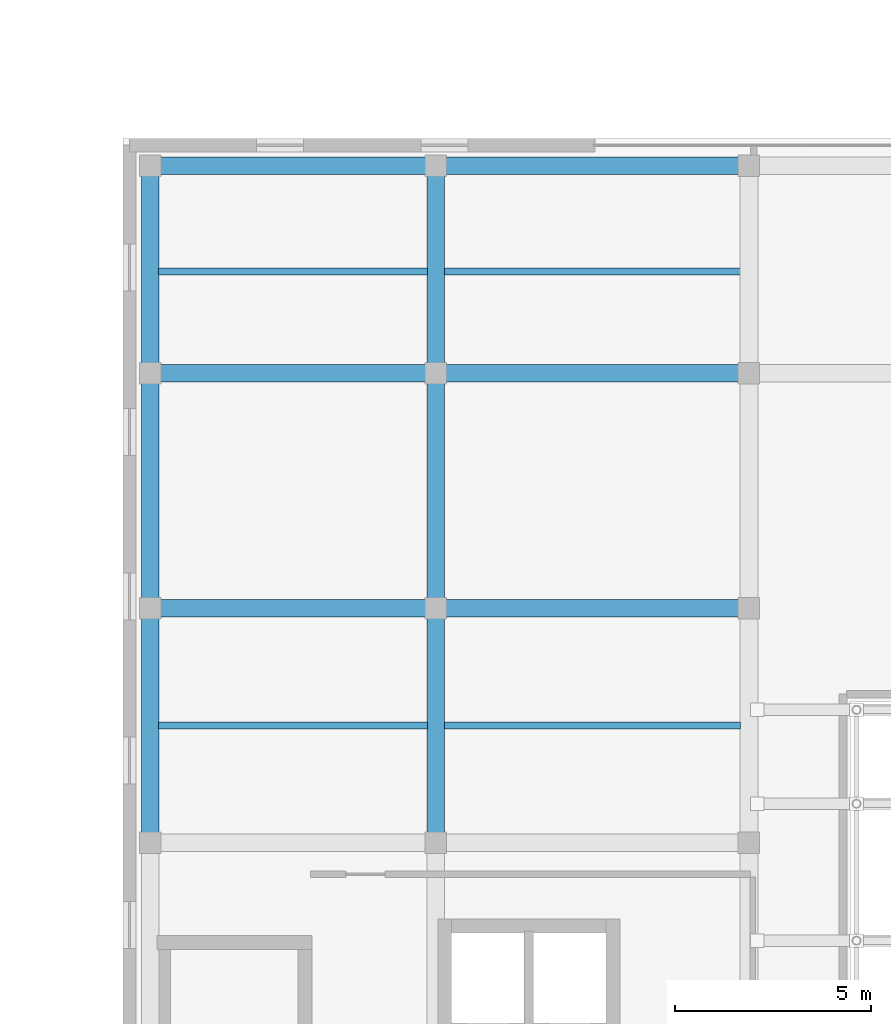
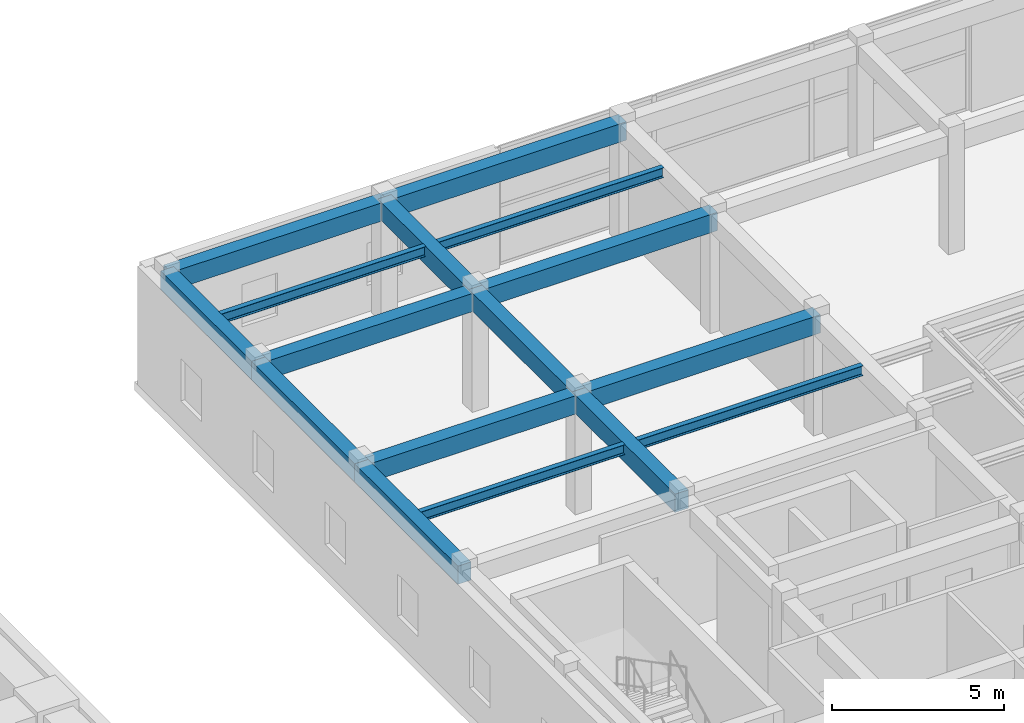
# One storey, part 16 of 33: 16 beams.
"""IFC4 building model written with IfcOpenShell, lengths in metres."""

import ifcopenshell
import ifcopenshell.guid

model = None  # the IFC model being written
_history = None  # IfcOwnerHistory: only IFC2X3 demands one
_inside = {}  # id of a spatial element -> (the spatial element, [elements in it])
_under = {}  # id of a project, library or spatial element -> (it, [spatial elements below it])
_declared = {}  # id of a project -> (the project, [libraries it declares])
_typed = {}  # id of a type object -> (the type object, [elements of that type])
_made_of = {}  # id of a material, layer set ... -> (it, [elements and type objects made of it])


def new_model(schema):
    """Start an empty IFC model of exactly this schema.

    Asked for "IFC4X3", IfcOpenShell would pick the latest addendum, in which some entities
    have other attributes; the version numbers below select the first issue.
    IFC2X3 requires an IfcOwnerHistory on every rooted entity: one is made here for all.
    """
    global model, _history
    if schema == "IFC4X3":
        model = ifcopenshell.file(schema_version=(4, 3, 0, 0))
    else:
        model = ifcopenshell.file(schema=schema)
    _inside.clear()
    _under.clear()
    _declared.clear()
    _typed.clear()
    _made_of.clear()
    _history = None
    if model.schema == "IFC2X3":
        org = make("IfcOrganization", Name="unknown")
        user = make(
            "IfcPersonAndOrganization",
            ThePerson=make("IfcPerson", FamilyName="unknown"),
            TheOrganization=org,
        )
        app = make(
            "IfcApplication",
            ApplicationDeveloper=org,
            Version="unknown",
            ApplicationFullName="unknown",
            ApplicationIdentifier="unknown",
        )
        _history = make(
            "IfcOwnerHistory",
            OwningUser=user,
            OwningApplication=app,
            ChangeAction="ADDED",
            CreationDate=0,
        )
    return model


def make(cls, **values):
    """One entity of the class cls with the attributes given. An attribute that is None is left unset."""
    return model.create_entity(
        cls, **{name: value for name, value in values.items() if value is not None}
    )


def rooted(cls, **values):
    """An entity with a GlobalId (a new one), such as an element, a storey or a relation."""
    return make(cls, GlobalId=ifcopenshell.guid.new(), OwnerHistory=_history, **values)


def si_unit(unit_type, name, prefix=None):
    """IfcSIUnit, for example si_unit("LENGTHUNIT", "METRE", prefix="MILLI")."""
    return make("IfcSIUnit", UnitType=unit_type, Prefix=prefix, Name=name)


def assignment(units):
    """IfcUnitAssignment: the units of a project."""
    return None if units is None else make("IfcUnitAssignment", Units=units)


def point(xyz):
    """IfcCartesianPoint."""
    return None if xyz is None else make("IfcCartesianPoint", Coordinates=xyz)


def direction(xyz):
    """IfcDirection."""
    return None if xyz is None else make("IfcDirection", DirectionRatios=xyz)


def frame(location, z_axis=None, x_axis=None):
    """IfcAxis2Placement3D, a coordinate frame: its origin and axes. An axis left out is left unset."""
    return make(
        "IfcAxis2Placement3D",
        Location=point(location),
        Axis=direction(z_axis),
        RefDirection=direction(x_axis),
    )


def frame_2d(location, x_axis=None):
    """IfcAxis2Placement2D, a coordinate frame in the plane: its origin and x axis."""
    return make(
        "IfcAxis2Placement2D", Location=point(location), RefDirection=direction(x_axis)
    )


def origin():
    """The frame at (0, 0, 0) with its axes left unset."""
    return frame((0.0, 0.0, 0.0))


def origin_2d():
    """The frame at (0, 0) in the plane with its x axis left unset."""
    return frame_2d((0.0, 0.0))


def place(relative_to, where):
    """IfcLocalPlacement: puts the frame where relative to a parent placement (None: the world)."""
    return make(
        "IfcLocalPlacement", PlacementRelTo=relative_to, RelativePlacement=where
    )


def context(
    kind, dimensions, precision=None, world=None, true_north=None, identifier=None
):
    """IfcGeometricRepresentationContext, for example the 3D "Model" context."""
    return make(
        "IfcGeometricRepresentationContext",
        ContextIdentifier=identifier,
        ContextType=kind,
        CoordinateSpaceDimension=dimensions,
        Precision=precision,
        WorldCoordinateSystem=world,
        TrueNorth=true_north,
    )


def subcontext(parent, identifier, kind, view, scale=None):
    """IfcGeometricRepresentationSubContext, for example "Body" below "Model"."""
    return make(
        "IfcGeometricRepresentationSubContext",
        ContextIdentifier=identifier,
        ContextType=kind,
        ParentContext=parent,
        TargetScale=scale,
        TargetView=view,
    )


def project(units=None, contexts=None):
    """IfcProject with its units and contexts."""
    return rooted(
        "IfcProject",
        Name="project",
        RepresentationContexts=contexts,
        UnitsInContext=assignment(units),
    )


def spatial(cls, under=None, at=None, **own):
    """A site, building, storey or space (cls), placed at a placement, below another one or the project."""
    s = rooted(cls, ObjectPlacement=at, **own)
    if under is not None:
        _under.setdefault(under.id(), (under, []))[1].append(s)
    return s


def profile(cls, at=None, kind="AREA", **sizes):
    """A parametric profile (cls). Its sizes go by their IFC names, for example OverallWidth=200.0."""
    return make(cls, ProfileType=kind, Position=at, **sizes)


def rectangle(**sizes):
    """IfcRectangleProfileDef."""
    return profile("IfcRectangleProfileDef", **sizes)


def i_section(**sizes):
    """IfcIShapeProfileDef."""
    return profile("IfcIShapeProfileDef", **sizes)


def extrude(swept, where, along, depth):
    """IfcExtrudedAreaSolid: the profile swept, set in the frame where, extruded along a direction by depth."""
    return make(
        "IfcExtrudedAreaSolid",
        SweptArea=swept,
        Position=where,
        ExtrudedDirection=direction(along),
        Depth=depth,
    )


def shape(context_of_items, identifier, shape_type, items):
    """IfcShapeRepresentation: the items that make up one representation, for example the "Body"."""
    return make(
        "IfcShapeRepresentation",
        ContextOfItems=context_of_items,
        RepresentationIdentifier=identifier,
        RepresentationType=shape_type,
        Items=items,
    )


def source(mapping_origin, context_of_items, identifier, shape_type, items):
    """IfcRepresentationMap: a shape defined once, which mapped items show again and again."""
    return make(
        "IfcRepresentationMap",
        MappingOrigin=mapping_origin,
        MappedRepresentation=shape(context_of_items, identifier, shape_type, items),
    )


def transform(
    local_origin,
    x_axis=None,
    y_axis=None,
    z_axis=None,
    scale=None,
    scale2=None,
    scale3=None,
    uniform=True,
):
    """IfcCartesianTransformationOperator3D, or its non-uniform kind. x_axis, y_axis, z_axis: its Axis1, 2, 3."""
    if uniform:
        return make(
            "IfcCartesianTransformationOperator3D",
            Axis1=direction(x_axis),
            Axis2=direction(y_axis),
            LocalOrigin=point(local_origin),
            Scale=scale,
            Axis3=direction(z_axis),
        )
    return make(
        "IfcCartesianTransformationOperator3DnonUniform",
        Axis1=direction(x_axis),
        Axis2=direction(y_axis),
        LocalOrigin=point(local_origin),
        Scale=scale,
        Axis3=direction(z_axis),
        Scale2=scale2,
        Scale3=scale3,
    )


def mapped(mapping_source, mapping_target):
    """IfcMappedItem: shows the shape of a source again, moved by a transform."""
    return make(
        "IfcMappedItem", MappingSource=mapping_source, MappingTarget=mapping_target
    )


def material(Name=None, Category=None):
    """IfcMaterial."""
    return make("IfcMaterial", Name=Name, Category=Category)


def material_profile(
    of_material, cross_section, Name=None, Category=None, Priority=None
):
    """IfcMaterialProfile: a cross section and its material."""
    return make(
        "IfcMaterialProfile",
        Name=Name,
        Material=of_material,
        Profile=cross_section,
        Priority=Priority,
        Category=Category,
    )


def profile_set(profiles, Name=None, composite=None):
    """IfcMaterialProfileSet."""
    return make(
        "IfcMaterialProfileSet",
        Name=Name,
        MaterialProfiles=profiles,
        CompositeProfile=composite,
    )


def made_of(thing, what):
    """Note that an element or type object is made of a material, layer set ...; save() writes the relation."""
    if what is not None:
        _made_of.setdefault(what.id(), (what, []))[1].append(thing)
    return thing


def type_object(cls, material=None, **own):
    """A type object (cls), such as IfcWallType, which elements share."""
    return made_of(rooted(cls, **own), material)


def element(
    cls,
    number,
    at=None,
    inside=None,
    cuts=None,
    type_object=None,
    material=None,
    context=None,
    identifier="Body",
    shape_type=None,
    held_by="IfcProductDefinitionShape",
    body=None,
    shapes=None,
    **own,
):
    """One element of the class cls, such as IfcWall. Its Tag is "e" and its number.

    at: its placement. inside: the storey or other place that contains it. cuts: it is an
    opening in that element (IfcRelVoidsElement). A single representation is given by context,
    identifier, shape_type and body (its items); several are given by shapes. held_by: the class
    of the entity that holds the representations. save() writes the other relations.
    """
    e = rooted(cls, Tag="e%d" % number, ObjectPlacement=at, **own)
    if body is not None:
        shapes = [shape(context, identifier, shape_type, body)]
    if shapes is not None:
        e.Representation = make(held_by, Representations=shapes)
    if inside is not None:
        _inside.setdefault(inside.id(), (inside, []))[1].append(e)
    if cuts is not None:
        rooted(
            "IfcRelVoidsElement", RelatingBuildingElement=cuts, RelatedOpeningElement=e
        )
    if type_object is not None:
        _typed.setdefault(type_object.id(), (type_object, []))[1].append(e)
    return made_of(e, material)


def aggregate(whole, parts):
    """IfcRelAggregates: a whole, such as a stair, and the parts it consists of."""
    return rooted("IfcRelAggregates", RelatingObject=whole, RelatedObjects=parts)


def save(model, path):
    """Write the relations noted so far, then the file.

    IfcRelAggregates (storeys below a building ...), IfcRelContainedInSpatialStructure (elements
    in a storey), IfcRelDefinesByType, IfcRelAssociatesMaterial and IfcRelDeclares: one each for
    every whole, place, type object, material and project.
    """
    for whole, parts in _under.values():
        aggregate(whole, parts)
    for where, things in _inside.values():
        rooted(
            "IfcRelContainedInSpatialStructure",
            RelatedElements=things,
            RelatingStructure=where,
        )
    for kind, things in _typed.values():
        rooted("IfcRelDefinesByType", RelatedObjects=things, RelatingType=kind)
    for what, things in _made_of.values():
        rooted("IfcRelAssociatesMaterial", RelatedObjects=things, RelatingMaterial=what)
    for by, libraries in _declared.values():
        rooted("IfcRelDeclares", RelatingContext=by, RelatedDefinitions=libraries)
    model.write(path)


model = new_model("IFC4")

# Units and contexts
model_context = context("Model", 3, precision=1e-05, world=origin(), true_north=direction((0.0, 1.0)))
body_context = subcontext(model_context, "Body", "Model", "MODEL_VIEW")
ifc_project = project(units=[si_unit("LENGTHUNIT", "METRE"), si_unit("AREAUNIT", "SQUARE_METRE"), si_unit("VOLUMEUNIT", "CUBIC_METRE"), si_unit("PLANEANGLEUNIT", "RADIAN"), si_unit("MASSUNIT", "GRAM", prefix="KILO")], contexts=[model_context])

# Site, building, storey
site_placement = place(None, origin())
site = spatial("IfcSite", under=ifc_project, at=site_placement, CompositionType="ELEMENT")
building_placement = place(site_placement, origin())
building = spatial("IfcBuilding", under=site, at=building_placement, Name="Khoralis Quay Care Tower", CompositionType="ELEMENT")
storey_placement = place(building_placement, frame((0.0, 0.0, 18.0)))
storey = spatial("IfcBuildingStorey", under=building, at=storey_placement, Name="L04", CompositionType="ELEMENT", Elevation=18.0)

# Beams
ifc_material_1 = material(Name="Concrete C40/50", Category="concrete")
ifc_material_profile_1 = material_profile(ifc_material_1, rectangle(XDim=0.449951171875, YDim=0.64990234375, at=origin_2d()), Name="Concrete C40/50")
ifc_profile_set_1 = profile_set([ifc_material_profile_1], Name="Concrete C40/50")
beam_type_1 = type_object("IfcBeamType", Name="BM-RC450X650", PredefinedType="BEAM", material=ifc_profile_set_1)
shared_shape_1 = source(origin(), body_context, "Body", "SweptSolid", [
    extrude(rectangle(XDim=0.449951171875, YDim=0.64990234375, at=origin_2d()), origin(), (0.0, 0.0, 1.0), 7.300048828125),
])
for number, where, z_axis, x_axis, name in (
    (1, (68.699951171875, 30.0, 3.864990234375), (1.0, 0.0, 0.0), (0.0, 1.0, 0.0), "BM-SCX-L04-13"),
    (2, (68.699951171875, 36.0, 3.864990234375), (1.0, 0.0, 0.0), (0.0, 1.0, 0.0), "BM-SCX-L04-15"),
    (3, (68.699951171875, 41.300048828125, 3.864990234375), (1.0, 0.0, 0.0), (0.0, 1.0, 0.0), "BM-SCX-L04-19"),
):
    element("IfcBeam", number, at=place(storey_placement, frame(where, z_axis=z_axis, x_axis=x_axis)), inside=storey, type_object=beam_type_1, Name=name, PredefinedType="BEAM", context=body_context, shape_type="MappedRepresentation", body=[
        mapped(shared_shape_1, transform((0.0, 0.0, 0.0), scale=1.0)),
    ])
shared_shape_2 = source(origin(), body_context, "Body", "SweptSolid", [
    extrude(rectangle(XDim=0.449951171875, YDim=0.64990234375, at=origin_2d()), origin(), (0.0, 0.0, 1.0), 8.0),
])
for number, where, z_axis, x_axis, name in (
    (4, (76.0, 30.0, 3.864990234375), (1.0, 0.0, 0.0), (0.0, 1.0, 0.0), "BM-SCX-L04-14"),
    (5, (76.0, 36.0, 3.864990234375), (1.0, 0.0, 0.0), (0.0, 1.0, 0.0), "BM-SCX-L04-16"),
    (6, (76.0, 41.300048828125, 3.864990234375), (1.0, 0.0, 0.0), (0.0, 1.0, 0.0), "BM-SCX-L04-20"),
):
    element("IfcBeam", number, at=place(storey_placement, frame(where, z_axis=z_axis, x_axis=x_axis)), inside=storey, type_object=beam_type_1, Name=name, PredefinedType="BEAM", context=body_context, shape_type="MappedRepresentation", body=[
        mapped(shared_shape_2, transform((0.0, 0.0, 0.0), scale=1.0)),
    ])
shared_shape_3 = source(origin(), body_context, "Body", "SweptSolid", [
    extrude(rectangle(XDim=0.449951171875, YDim=0.64990234375, at=origin_2d()), origin(), (0.0, 0.0, 1.0), 5.300048828125),
])
for number, where, z_axis, x_axis, name in (
    (7, (68.699951171875, 36.0, 3.864990234375), (0.0, 1.0, 0.0), (-1.0, 0.0, 0.0), "BM-SCY-L04-29"),
    (8, (76.0, 36.0, 3.864990234375), (0.0, 1.0, 0.0), (-1.0, 0.0, 0.0), "BM-SCY-L04-35"),
):
    element("IfcBeam", number, at=place(storey_placement, frame(where, z_axis=z_axis, x_axis=x_axis)), inside=storey, type_object=beam_type_1, Name=name, PredefinedType="BEAM", context=body_context, shape_type="MappedRepresentation", body=[
        mapped(shared_shape_3, transform((0.0, 0.0, 0.0), scale=1.0)),
    ])
shared_shape_4 = source(origin(), body_context, "Body", "SweptSolid", [
    extrude(rectangle(XDim=0.449951171875, YDim=0.64990234375, at=origin_2d()), origin(), (0.0, 0.0, 1.0), 6.0),
])
for number, where, z_axis, x_axis, name in (
    (9, (68.699951171875, 24.0, 3.864990234375), (0.0, 1.0, 0.0), (-1.0, 0.0, 0.0), "BM-SCY-L04-27"),
    (10, (68.699951171875, 30.0, 3.864990234375), (0.0, 1.0, 0.0), (-1.0, 0.0, 0.0), "BM-SCY-L04-28"),
    (11, (76.0, 24.0, 3.864990234375), (0.0, 1.0, 0.0), (-1.0, 0.0, 0.0), "BM-SCY-L04-33"),
    (12, (76.0, 30.0, 3.864990234375), (0.0, 1.0, 0.0), (-1.0, 0.0, 0.0), "BM-SCY-L04-34"),
):
    element("IfcBeam", number, at=place(storey_placement, frame(where, z_axis=z_axis, x_axis=x_axis)), inside=storey, type_object=beam_type_1, Name=name, PredefinedType="BEAM", context=body_context, shape_type="MappedRepresentation", body=[
        mapped(shared_shape_4, transform((0.0, 0.0, 0.0), scale=1.0)),
    ])
ifc_material_2 = material(Name="Steel S355", Category="steel")
ifc_material_profile_2 = material_profile(ifc_material_2, i_section(OverallWidth=0.1708984375, OverallDepth=0.35498046875, WebThickness=0.007080078125, FlangeThickness=0.01171875, FilletRadius=0.012939453125, at=origin_2d()), Name="Steel S355")
ifc_profile_set_2 = profile_set([ifc_material_profile_2], Name="Steel S355")
beam_type_2 = type_object("IfcBeamType", Name="BM-W360X51", PredefinedType="JOIST", material=ifc_profile_set_2)
shared_shape_5 = source(origin(), body_context, "Body", "SweptSolid", [
    extrude(i_section(OverallWidth=0.1708984375, OverallDepth=0.35498046875, WebThickness=0.007080078125, FlangeThickness=0.01171875, FilletRadius=0.012939453125, at=origin_2d()), origin(), (0.0, 0.0, 1.0), 6.8740234375),
])
for number, where, z_axis, x_axis, name in (
    (13, (68.9130859375, 27.0, 4.012451171875), (1.0, 0.0, 0.0), (0.0, 1.0, 0.0), "BM-SCJ-L04-53"),
    (14, (68.9130859375, 38.60009765625, 4.012451171875), (1.0, 0.0, 0.0), (0.0, 1.0, 0.0), "BM-SCJ-L04-55"),
):
    element("IfcBeam", number, at=place(storey_placement, frame(where, z_axis=z_axis, x_axis=x_axis)), inside=storey, type_object=beam_type_2, Name=name, PredefinedType="JOIST", context=body_context, shape_type="MappedRepresentation", body=[
        mapped(shared_shape_5, transform((0.0, 0.0, 0.0), scale=1.0)),
    ])
shared_shape_6 = source(origin(), body_context, "Body", "SweptSolid", [
    extrude(i_section(OverallWidth=0.1708984375, OverallDepth=0.35498046875, WebThickness=0.007080078125, FlangeThickness=0.01171875, FilletRadius=0.012939453125, at=origin_2d()), origin(), (0.0, 0.0, 1.0), 7.57421875),
])
for number, where, z_axis, x_axis, name in (
    (15, (76.212890625, 27.0, 4.012451171875), (1.0, 0.0, 0.0), (0.0, 1.0, 0.0), "BM-SCJ-L04-54"),
    (16, (76.212890625, 38.60009765625, 4.012451171875), (1.0, 0.0, 0.0), (0.0, 1.0, 0.0), "BM-SCJ-L04-56"),
):
    element("IfcBeam", number, at=place(storey_placement, frame(where, z_axis=z_axis, x_axis=x_axis)), inside=storey, type_object=beam_type_2, Name=name, PredefinedType="JOIST", context=body_context, shape_type="MappedRepresentation", body=[
        mapped(shared_shape_6, transform((0.0, 0.0, 0.0), scale=1.0)),
    ])

save(model, "model.ifc")
